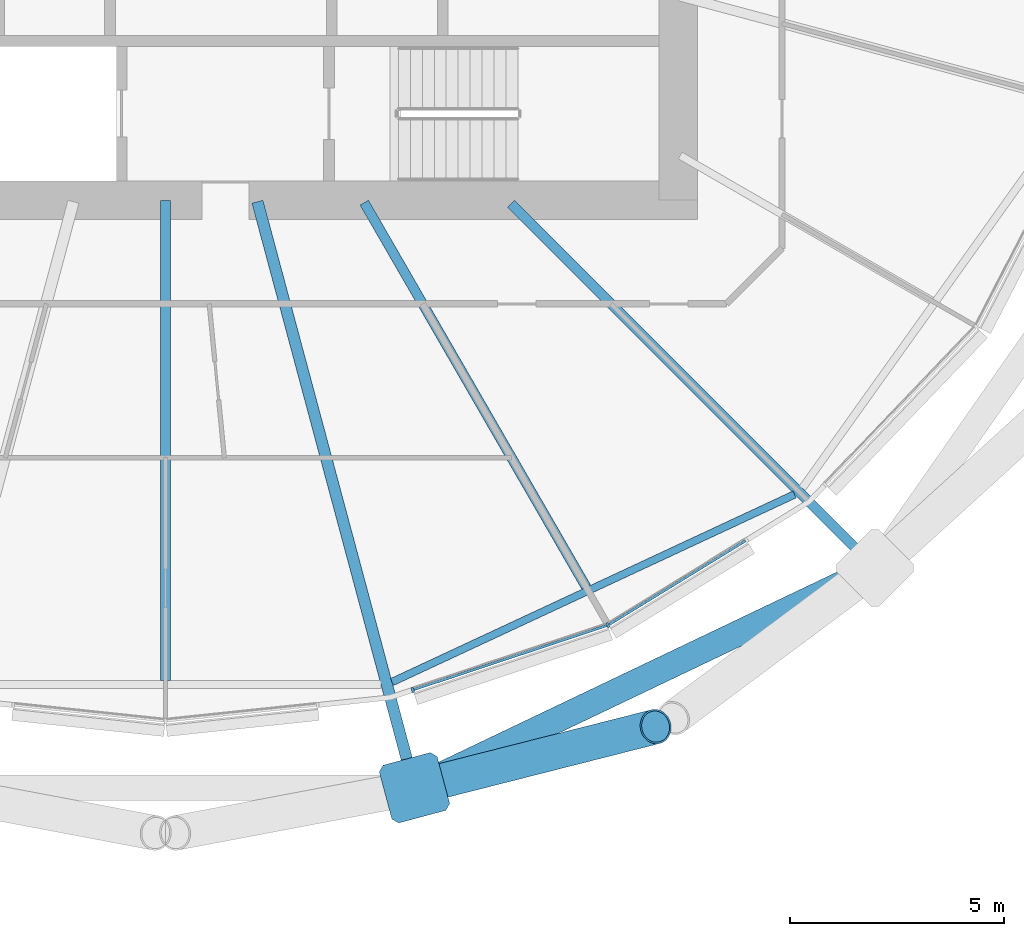
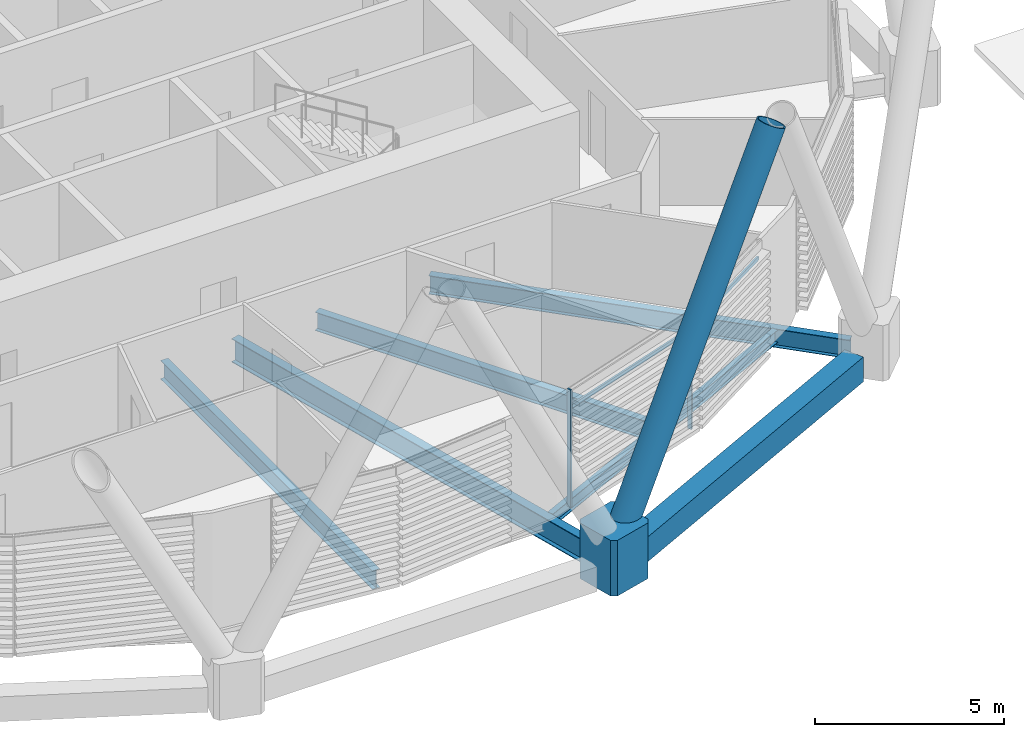
# One storey, part 4 of 34: 6 beams, 6 members, 1 element without a shape of its own.
"""IFC4 building model written with IfcOpenShell, lengths in metres."""

from ifc_helpers import new_model, si_unit, direction, frame, origin, origin_2d, place, context, subcontext, project, spatial, polyline, rectangle, hollow_rectangle, hollow_circle, i_section, outline, extrude, material, material_profile, profile_set, type_object, element, aggregate, save


model = new_model("IFC4")

# Units and contexts
model_context = context("Model", 3, precision=1e-05, world=origin(), true_north=direction((0.0, 1.0)))
body_context = subcontext(model_context, "Body", "Model", "MODEL_VIEW")
ifc_project = project(units=[si_unit("LENGTHUNIT", "METRE"), si_unit("AREAUNIT", "SQUARE_METRE"), si_unit("VOLUMEUNIT", "CUBIC_METRE"), si_unit("PLANEANGLEUNIT", "RADIAN"), si_unit("MASSUNIT", "GRAM", prefix="KILO")], contexts=[model_context])

# Site, building, storey
site_placement = place(None, origin())
site = spatial("IfcSite", under=ifc_project, at=site_placement, CompositionType="ELEMENT")
building_placement = place(site_placement, origin())
building = spatial("IfcBuilding", under=site, at=building_placement, Name="Rimbun Link Towers", CompositionType="ELEMENT")
storey_placement = place(building_placement, frame((0.0, 0.0, 41.39990234375)))
storey = spatial("IfcBuildingStorey", under=building, at=storey_placement, Name="L09", CompositionType="ELEMENT", Elevation=41.39990234375)

# Curtain wall, members
ifc_material_1 = material(Name="Aluminium 6063-T6 and low-iron glass", Category="aluminium")
curtain_wall_type = type_object("IfcCurtainWallType", Name="CW1 unitised vision wall", PredefinedType="NOTDEFINED", material=ifc_material_1)
curtain_wall_placement = place(storey_placement, origin())
curtain_wall = element("IfcCurtainWall", 1, at=curtain_wall_placement, inside=storey, type_object=curtain_wall_type, Name="CW1 L09 T1", PredefinedType="NOTDEFINED")
ifc_material_2 = material(Name="Aluminium 6063-T6", Category="aluminium")
ifc_material_profile_1 = material_profile(ifc_material_2, rectangle(XDim=0.1201171875, YDim=0.06005859375, at=origin_2d()), Name="MULLION 60X120")
ifc_profile_set_1 = profile_set([ifc_material_profile_1], Name="Aluminium 6063-T6")
member_type_1 = type_object("IfcMemberType", Name="CW1 mullion 60X120", PredefinedType="MULLION", material=ifc_profile_set_1)
member_1_placement = place(storey_placement, frame((-21.396240234375, -17.944091796875, 0.0), z_axis=(0.0, 0.0, 1.0), x_axis=(0.421700623213, -0.906735123607, 0.0)))
member_1 = element("IfcMember", 2, at=member_1_placement, type_object=member_type_1, Name="CW1 mullion", PredefinedType="MULLION", context=body_context, shape_type="SweptSolid", body=[
    extrude(rectangle(XDim=0.1201171875, YDim=0.06005859375, at=origin_2d()), origin(), (0.0, 0.0, 1.0), 3.800048828125),
])
member_2_placement = place(storey_placement, frame((-25.964111328125, -19.458251953125, 0.0), z_axis=(0.0, 0.0, 1.0), x_axis=(0.314557949572, -0.949238271648, 0.0)))
member_2 = element("IfcMember", 3, at=member_2_placement, type_object=member_type_1, Name="CW1 mullion", PredefinedType="MULLION", context=body_context, shape_type="SweptSolid", body=[
    extrude(rectangle(XDim=0.1201171875, YDim=0.06005859375, at=origin_2d()), origin(), (0.0, 0.0, 1.0), 3.800048828125),
])
ifc_material_3 = material(Name="Aluminium 6063-T6", Category="aluminium")
ifc_material_profile_2 = material_profile(ifc_material_3, rectangle(XDim=0.06005859375, YDim=0.1201171875, at=origin_2d()), Name="TRANSOM 60X120")
ifc_profile_set_2 = profile_set([ifc_material_profile_2], Name="Aluminium 6063-T6")
member_type_2 = type_object("IfcMemberType", Name="CW1 transom 60X120", PredefinedType="USERDEFINED", material=ifc_profile_set_2)
member_3_placement = place(storey_placement, frame((-21.431640625, -17.9541015625, 3.2001953125), z_axis=(-0.94924257517, -0.314544962581, 0.0), x_axis=(0.314544962581, -0.94924257517, 0.0)))
member_3 = element("IfcMember", 4, at=member_3_placement, type_object=member_type_2, Name="CW1 transom", ObjectType="TRANSOM", PredefinedType="USERDEFINED", context=body_context, shape_type="SweptSolid", body=[
    extrude(rectangle(XDim=0.06005859375, YDim=0.1201171875, at=origin_2d()), origin(), (0.0, 0.0, 1.0), 4.74560546875),
])
member_4_placement = place(storey_placement, frame((-18.1806640625, -15.9677734375, 3.2001953125), z_axis=(-0.852173780916, -0.523258871992, 0.0), x_axis=(0.523258871992, -0.852173780916, 0.0)))
member_4 = element("IfcMember", 5, at=member_4_placement, type_object=member_type_2, Name="CW1 transom", ObjectType="TRANSOM", PredefinedType="USERDEFINED", context=body_context, shape_type="SweptSolid", body=[
    extrude(rectangle(XDim=0.06005859375, YDim=0.1201171875, at=origin_2d()), origin(), (0.0, 0.0, 1.0), 3.7373046875),
])
aggregate(curtain_wall, [member_1, member_2, member_3, member_4])

# Members
ifc_material_4 = material(Name="Steel S460NH", Category="steel")
ifc_material_profile_3 = material_profile(ifc_material_4, hollow_circle(Radius=0.406494140625, WallThickness=0.0400390625, at=origin_2d()), Name="Diagrid diagonal CHS 813x40")
ifc_profile_set_3 = profile_set([ifc_material_profile_3], Name="Steel S460NH")
member_type_3 = type_object("IfcMemberType", Name="Diagrid diagonal CHS 813x40", PredefinedType="BRACE", material=ifc_profile_set_3)
member_5_placement = place(storey_placement, frame((-25.695556640625, -21.68994140625, 0.441650390625), z_axis=(0.454668087389, 0.115384046346, 0.88315539525), x_axis=(-0.245979182383, 0.969275111531, 0.0)))
element("IfcMember", 6, at=member_5_placement, inside=storey, type_object=member_type_3, Name="Diagrid diagonal T1 L09-L12 19b", PredefinedType="BRACE", context=body_context, shape_type="SweptSolid", body=[
    extrude(hollow_circle(Radius=0.406494140625, WallThickness=0.0400390625, at=origin_2d()), origin(), (0.0, 0.0, 1.0), 11.908203125),
])
ifc_material_5 = material(Name="Cast steel G20Mn5+QT, Rp0.2 300 MPa", Category="steel")
ifc_material_profile_4 = material_profile(ifc_material_5, outline(polyline([(0.699951171875, -0.570068359375), (0.699951171875, 0.570068359375), (0.570068359375, 0.699951171875), (-0.570068359375, 0.699951171875), (-0.699951171875, 0.570068359375), (-0.699951171875, -0.570068359375), (-0.570068359375, -0.699951171875), (0.570068359375, -0.699951171875), (0.699951171875, -0.570068359375)])), Name="NODE 1400x1400")
ifc_profile_set_4 = profile_set([ifc_material_profile_4], Name="Cast steel G20Mn5+QT, Rp0.2 300 MPa")
member_type_4 = type_object("IfcMemberType", Name="Diagrid node cast 1400", PredefinedType="USERDEFINED", material=ifc_profile_set_4)
member_6_placement = place(storey_placement, frame((-25.9228515625, -21.74755859375, -0.89990234375), z_axis=(0.0, 0.0, 1.0), x_axis=(0.258819045103, -0.965925826289, 0.0)))
element("IfcMember", 7, at=member_6_placement, inside=storey, type_object=member_type_4, Name="Diagrid node L09 19", ObjectType="Diagrid node", PredefinedType="USERDEFINED", context=body_context, shape_type="SweptSolid", body=[
    extrude(outline(polyline([(0.699951171875, -0.570068359375), (0.699951171875, 0.570068359375), (0.570068359375, 0.699951171875), (-0.570068359375, 0.699951171875), (-0.699951171875, 0.570068359375), (-0.699951171875, -0.570068359375), (-0.570068359375, -0.699951171875), (0.570068359375, -0.699951171875), (0.699951171875, -0.570068359375)])), origin(), (0.0, 0.0, 1.0), 1.800048828125),
])

# Beams
ifc_material_6 = material(Name="Steel S355J2", Category="steel")
ifc_material_profile_5 = material_profile(ifc_material_6, hollow_rectangle(XDim=0.60009765625, YDim=0.800048828125, WallThickness=0.0400390625, at=origin_2d()), Name="Exoskeleton ring girder BOX 600x800x40")
ifc_profile_set_5 = profile_set([ifc_material_profile_5], Name="Steel S355J2")
beam_type_1 = type_object("IfcBeamType", Name="Exoskeleton ring girder BOX 600x800x40", PredefinedType="BEAM", material=ifc_profile_set_5)
beam_1_placement = place(storey_placement, frame((-25.291015625, -21.446044921875, -0.559814453125), z_axis=(0.90248901757, 0.430712866265, 0.0), x_axis=(-0.430712866265, 0.90248901757, 0.0)))
element("IfcBeam", 8, at=beam_1_placement, inside=storey, type_object=beam_type_1, Name="Exoskeleton ring girder L09 07", PredefinedType="BEAM", context=body_context, shape_type="SweptSolid", body=[
    extrude(hollow_rectangle(XDim=0.60009765625, YDim=0.800048828125, WallThickness=0.0400390625, at=origin_2d()), origin(), (0.0, 0.0, 1.0), 10.541259765625),
])
ifc_material_7 = material(Name="Steel S355J2", Category="steel")
ifc_material_profile_6 = material_profile(ifc_material_7, i_section(OverallWidth=0.177978515625, OverallDepth=0.406494140625, WebThickness=0.0078125, FlangeThickness=0.0126953125, at=origin_2d()), Name="UB 406x178x60")
ifc_profile_set_6 = profile_set([ifc_material_profile_6], Name="Steel S355J2")
beam_type_2 = type_object("IfcBeamType", Name="UB 406x178x60", PredefinedType="BEAM", material=ifc_profile_set_6)
beam_2_placement = place(storey_placement, frame((-26.447021484375, -19.272216796875, -0.363037109375), z_axis=(0.906396127139, 0.422428764062, 0.0), x_axis=(-0.422428764062, 0.906396127139, 0.0)))
element("IfcBeam", 9, at=beam_2_placement, inside=storey, type_object=beam_type_2, Name="Edge beam T1 L09 19-21", PredefinedType="BEAM", context=body_context, shape_type="SweptSolid", body=[
    extrude(i_section(OverallWidth=0.177978515625, OverallDepth=0.406494140625, WebThickness=0.0078125, FlangeThickness=0.0126953125, at=origin_2d()), origin(), (0.0, 0.0, 1.0), 10.390380859375),
])
ifc_material_8 = material(Name="Steel S355J2", Category="steel")
ifc_material_profile_7 = material_profile(ifc_material_8, i_section(OverallWidth=0.2275390625, OverallDepth=0.6025390625, WebThickness=0.010498046875, FlangeThickness=0.014892578125, at=origin_2d()), Name="UB 610x229x101")
ifc_profile_set_7 = profile_set([ifc_material_profile_7], Name="Steel S355J2")
beam_type_3 = type_object("IfcBeamType", Name="UB 610x229x101", PredefinedType="BEAM", material=ifc_profile_set_7)
beam_3_placement = place(storey_placement, frame((-31.75, -8.0009765625, -0.461181640625), z_axis=(0.0, -1.0, 0.0), x_axis=(1.0, 0.0, 0.0)))
element("IfcBeam", 10, at=beam_3_placement, inside=storey, type_object=beam_type_3, Name="Radial beam T1 L09 18", PredefinedType="BEAM", context=body_context, shape_type="SweptSolid", body=[
    extrude(i_section(OverallWidth=0.2275390625, OverallDepth=0.6025390625, WebThickness=0.010498046875, FlangeThickness=0.014892578125, at=origin_2d()), origin(), (0.0, 0.0, 1.0), 11.23876953125),
])
beam_4_placement = place(storey_placement, frame((-27.097900390625, -8.057861328125, -0.461181640625), z_axis=(0.499998423118, -0.866026314196, 0.0), x_axis=(0.866026314196, 0.499998423118, 0.0)))
element("IfcBeam", 11, at=beam_4_placement, inside=storey, type_object=beam_type_3, Name="Radial beam T1 L09 20", PredefinedType="BEAM", context=body_context, shape_type="SweptSolid", body=[
    extrude(i_section(OverallWidth=0.2275390625, OverallDepth=0.6025390625, WebThickness=0.010498046875, FlangeThickness=0.014892578125, at=origin_2d()), origin(), (0.0, 0.0, 1.0), 10.38916015625),
])
beam_5_placement = place(storey_placement, frame((-23.668701171875, -8.081298828125, -0.461181640625), z_axis=(0.707106781187, -0.707106781187, 0.0), x_axis=(0.707106781187, 0.707106781187, 0.0)))
element("IfcBeam", 12, at=beam_5_placement, inside=storey, type_object=beam_type_3, Name="Radial beam T1 L09 21", PredefinedType="BEAM", context=body_context, shape_type="SweptSolid", body=[
    extrude(i_section(OverallWidth=0.2275390625, OverallDepth=0.6025390625, WebThickness=0.010498046875, FlangeThickness=0.014892578125, at=origin_2d()), origin(), (0.0, 0.0, 1.0), 11.552978515625),
])
ifc_material_9 = material(Name="Steel S355J2", Category="steel")
ifc_material_profile_8 = material_profile(ifc_material_9, i_section(OverallWidth=0.2666015625, OverallDepth=0.76220703125, WebThickness=0.014404296875, FlangeThickness=0.021484375, at=origin_2d()), Name="UB 762x267x173")
ifc_profile_set_8 = profile_set([ifc_material_profile_8], Name="Steel S355J2")
beam_type_4 = type_object("IfcBeamType", Name="UB 762x267x173", PredefinedType="BEAM", material=ifc_profile_set_8)
beam_6_placement = place(storey_placement, frame((-29.596923828125, -8.035400390625, -0.541015625), z_axis=(0.258813009611, -0.965927443474, 0.0), x_axis=(0.965927443474, 0.258813009611, 0.0)))
element("IfcBeam", 13, at=beam_6_placement, inside=storey, type_object=beam_type_4, Name="Radial beam T1 L09 19", PredefinedType="BEAM", context=body_context, shape_type="SweptSolid", body=[
    extrude(i_section(OverallWidth=0.2666015625, OverallDepth=0.76220703125, WebThickness=0.014404296875, FlangeThickness=0.021484375, at=origin_2d()), origin(), (0.0, 0.0, 1.0), 13.69580078125),
])

save(model, "model.ifc")
